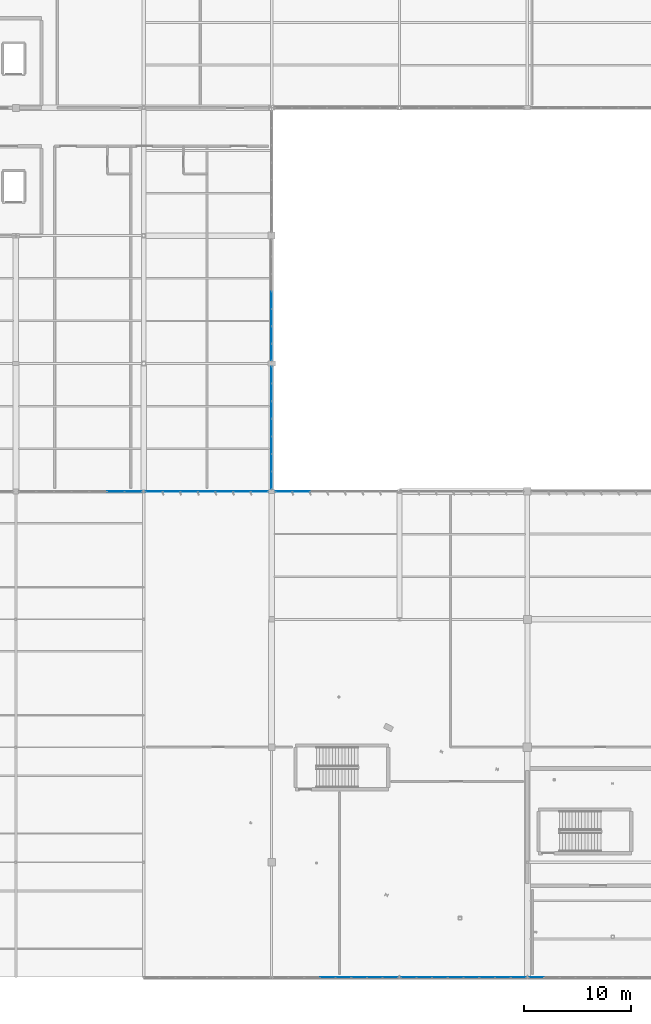
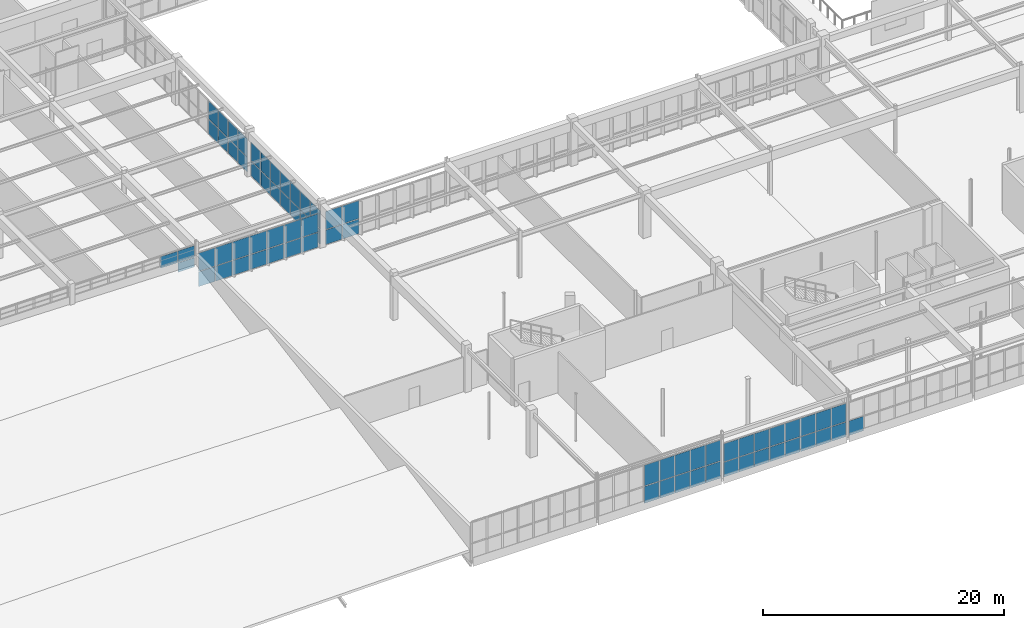
# One storey, part 136 of 226: 70 plates, 8 elements without a shape of their own.
"""IFC4 building model written with IfcOpenShell, lengths in metres."""

from ifc_helpers import new_model, si_unit, direction, frame, origin, origin_2d, place, context, subcontext, project, spatial, rectangle, extrude, material, layer, layer_set, type_object, element, aggregate, save


model = new_model("IFC4")

# Units and contexts
model_context = context("Model", 3, precision=1e-05, world=origin(), true_north=direction((0.0, 1.0)))
body_context = subcontext(model_context, "Body", "Model", "MODEL_VIEW")
ifc_project = project(units=[si_unit("LENGTHUNIT", "METRE"), si_unit("AREAUNIT", "SQUARE_METRE"), si_unit("VOLUMEUNIT", "CUBIC_METRE"), si_unit("PLANEANGLEUNIT", "RADIAN"), si_unit("MASSUNIT", "GRAM", prefix="KILO")], contexts=[model_context])

# Site, building, storey
site_placement = place(None, origin())
site = spatial("IfcSite", under=ifc_project, at=site_placement, CompositionType="ELEMENT")
building_placement = place(site_placement, origin())
building = spatial("IfcBuilding", under=site, at=building_placement, Name="Tarnwether General Hospital", CompositionType="ELEMENT")
storey_placement = place(building_placement, frame((0.0, 0.0, 4.800048828125)))
storey = spatial("IfcBuildingStorey", under=building, at=storey_placement, Name="L01", CompositionType="ELEMENT", Elevation=4.800048828125)

# Curtain wall, plate
ifc_material_1 = material(Name="Anodised aluminium", Category="aluminium")
ifc_layer_1 = layer(ifc_material_1, 0.159912109375)
ifc_layer_set_1 = layer_set([ifc_layer_1], Name="Anodised aluminium")
curtain_wall_type_1 = type_object("IfcCurtainWallType", Name="CW-13", PredefinedType="NOTDEFINED", material=ifc_layer_set_1)
curtain_wall_1_placement = place(storey_placement, origin())
curtain_wall_1 = element("IfcCurtainWall", 1, at=curtain_wall_1_placement, inside=storey, type_object=curtain_wall_type_1, Name="Curtain Wall CWG-L01-959_0-0332", PredefinedType="NOTDEFINED")
ifc_material_2 = material(Name="Double glazed low-E glass", Category="glass")
ifc_layer_2 = layer(ifc_material_2, 0.028076171875)
ifc_layer_set_2 = layer_set([ifc_layer_2], Name="Double glazed low-E glass")
plate_type = type_object("IfcPlateType", Name="PT-CWP1", PredefinedType="CURTAIN_PANEL", material=ifc_layer_set_2)
plate_1_placement = place(storey_placement, frame((84.837646484375, 0.0, 0.059814453125), z_axis=(0.0, 0.0, 1.0), x_axis=(-1.0, 0.0, 0.0)))
plate_1 = element("IfcPlate", 2, at=plate_1_placement, type_object=plate_type, Name="CW-13 panel 8.1", PredefinedType="CURTAIN_PANEL", context=body_context, shape_type="SweptSolid", body=[
    extrude(rectangle(XDim=1.38916015625, YDim=0.028076171875, at=origin_2d()), origin(), (0.0, 0.0, 1.0), 1.47607421875),
])
aggregate(curtain_wall_1, [plate_1])

# Curtain wall, plates
curtain_wall_2_placement = place(storey_placement, origin())
curtain_wall_2 = element("IfcCurtainWall", 3, at=curtain_wall_2_placement, inside=storey, type_object=curtain_wall_type_1, Name="Curtain Wall CWG-L01-839_0-0333", PredefinedType="NOTDEFINED")
plate_2_placement = place(storey_placement, frame((83.1640625, 0.0, 0.059814453125), z_axis=(0.0, 0.0, 1.0), x_axis=(-1.0, 0.0, 0.0)))
plate_2 = element("IfcPlate", 4, at=plate_2_placement, type_object=plate_type, Name="CW-13 panel 1.1", PredefinedType="CURTAIN_PANEL", context=body_context, shape_type="SweptSolid", body=[
    extrude(rectangle(XDim=1.3857421875, YDim=0.028076171875, at=origin_2d()), origin(), (0.0, 0.0, 1.0), 1.47607421875),
])
plate_3_placement = place(storey_placement, frame((83.1640625, 0.0, 1.59619140625), z_axis=(0.0, 0.0, 1.0), x_axis=(-1.0, 0.0, 0.0)))
plate_3 = element("IfcPlate", 5, at=plate_3_placement, type_object=plate_type, Name="CW-13 panel 1.2", PredefinedType="CURTAIN_PANEL", context=body_context, shape_type="SweptSolid", body=[
    extrude(rectangle(XDim=1.3857421875, YDim=0.028076171875, at=origin_2d()), origin(), (0.0, 0.0, 1.0), 1.823974609375),
])
plate_4_placement = place(storey_placement, frame((81.703369140625, 0.0, 0.059814453125), z_axis=(0.0, 0.0, 1.0), x_axis=(-1.0, 0.0, 0.0)))
plate_4 = element("IfcPlate", 6, at=plate_4_placement, type_object=plate_type, Name="CW-13 panel 2.1", PredefinedType="CURTAIN_PANEL", context=body_context, shape_type="SweptSolid", body=[
    extrude(rectangle(XDim=1.415771484375, YDim=0.028076171875, at=origin_2d()), origin(), (0.0, 0.0, 1.0), 1.47607421875),
])
plate_5_placement = place(storey_placement, frame((81.703369140625, 0.0, 1.59619140625), z_axis=(0.0, 0.0, 1.0), x_axis=(-1.0, 0.0, 0.0)))
plate_5 = element("IfcPlate", 7, at=plate_5_placement, type_object=plate_type, Name="CW-13 panel 2.2", PredefinedType="CURTAIN_PANEL", context=body_context, shape_type="SweptSolid", body=[
    extrude(rectangle(XDim=1.415771484375, YDim=0.028076171875, at=origin_2d()), origin(), (0.0, 0.0, 1.0), 1.823974609375),
])
plate_6_placement = place(storey_placement, frame((80.2275390625, 0.0, 0.059814453125), z_axis=(0.0, 0.0, 1.0), x_axis=(-1.0, 0.0, 0.0)))
plate_6 = element("IfcPlate", 8, at=plate_6_placement, type_object=plate_type, Name="CW-13 panel 3.1", PredefinedType="CURTAIN_PANEL", context=body_context, shape_type="SweptSolid", body=[
    extrude(rectangle(XDim=1.415771484375, YDim=0.028076171875, at=origin_2d()), origin(), (0.0, 0.0, 1.0), 1.47607421875),
])
plate_7_placement = place(storey_placement, frame((80.2275390625, 0.0, 1.59619140625), z_axis=(0.0, 0.0, 1.0), x_axis=(-1.0, 0.0, 0.0)))
plate_7 = element("IfcPlate", 9, at=plate_7_placement, type_object=plate_type, Name="CW-13 panel 3.2", PredefinedType="CURTAIN_PANEL", context=body_context, shape_type="SweptSolid", body=[
    extrude(rectangle(XDim=1.415771484375, YDim=0.028076171875, at=origin_2d()), origin(), (0.0, 0.0, 1.0), 1.823974609375),
])
plate_8_placement = place(storey_placement, frame((78.751953125, 0.0, 0.059814453125), z_axis=(0.0, 0.0, 1.0), x_axis=(-1.0, 0.0, 0.0)))
plate_8 = element("IfcPlate", 10, at=plate_8_placement, type_object=plate_type, Name="CW-13 panel 4.1", PredefinedType="CURTAIN_PANEL", context=body_context, shape_type="SweptSolid", body=[
    extrude(rectangle(XDim=1.415771484375, YDim=0.028076171875, at=origin_2d()), origin(), (0.0, 0.0, 1.0), 1.47607421875),
])
plate_9_placement = place(storey_placement, frame((78.751953125, 0.0, 1.59619140625), z_axis=(0.0, 0.0, 1.0), x_axis=(-1.0, 0.0, 0.0)))
plate_9 = element("IfcPlate", 11, at=plate_9_placement, type_object=plate_type, Name="CW-13 panel 4.2", PredefinedType="CURTAIN_PANEL", context=body_context, shape_type="SweptSolid", body=[
    extrude(rectangle(XDim=1.415771484375, YDim=0.028076171875, at=origin_2d()), origin(), (0.0, 0.0, 1.0), 1.823974609375),
])
plate_10_placement = place(storey_placement, frame((77.276123046875, 0.0, 0.059814453125), z_axis=(0.0, 0.0, 1.0), x_axis=(-1.0, 0.0, 0.0)))
plate_10 = element("IfcPlate", 12, at=plate_10_placement, type_object=plate_type, Name="CW-13 panel 5.1", PredefinedType="CURTAIN_PANEL", context=body_context, shape_type="SweptSolid", body=[
    extrude(rectangle(XDim=1.415771484375, YDim=0.028076171875, at=origin_2d()), origin(), (0.0, 0.0, 1.0), 1.47607421875),
])
plate_11_placement = place(storey_placement, frame((77.276123046875, 0.0, 1.59619140625), z_axis=(0.0, 0.0, 1.0), x_axis=(-1.0, 0.0, 0.0)))
plate_11 = element("IfcPlate", 13, at=plate_11_placement, type_object=plate_type, Name="CW-13 panel 5.2", PredefinedType="CURTAIN_PANEL", context=body_context, shape_type="SweptSolid", body=[
    extrude(rectangle(XDim=1.415771484375, YDim=0.028076171875, at=origin_2d()), origin(), (0.0, 0.0, 1.0), 1.823974609375),
])
plate_12_placement = place(storey_placement, frame((75.80029296875, 0.0, 0.059814453125), z_axis=(0.0, 0.0, 1.0), x_axis=(-1.0, 0.0, 0.0)))
plate_12 = element("IfcPlate", 14, at=plate_12_placement, type_object=plate_type, Name="CW-13 panel 6.1", PredefinedType="CURTAIN_PANEL", context=body_context, shape_type="SweptSolid", body=[
    extrude(rectangle(XDim=1.415771484375, YDim=0.028076171875, at=origin_2d()), origin(), (0.0, 0.0, 1.0), 1.47607421875),
])
plate_13_placement = place(storey_placement, frame((75.80029296875, 0.0, 1.59619140625), z_axis=(0.0, 0.0, 1.0), x_axis=(-1.0, 0.0, 0.0)))
plate_13 = element("IfcPlate", 15, at=plate_13_placement, type_object=plate_type, Name="CW-13 panel 6.2", PredefinedType="CURTAIN_PANEL", context=body_context, shape_type="SweptSolid", body=[
    extrude(rectangle(XDim=1.415771484375, YDim=0.028076171875, at=origin_2d()), origin(), (0.0, 0.0, 1.0), 1.823974609375),
])
plate_14_placement = place(storey_placement, frame((74.32470703125, 0.0, 0.059814453125), z_axis=(0.0, 0.0, 1.0), x_axis=(-1.0, 0.0, 0.0)))
plate_14 = element("IfcPlate", 16, at=plate_14_placement, type_object=plate_type, Name="CW-13 panel 7.1", PredefinedType="CURTAIN_PANEL", context=body_context, shape_type="SweptSolid", body=[
    extrude(rectangle(XDim=1.415771484375, YDim=0.028076171875, at=origin_2d()), origin(), (0.0, 0.0, 1.0), 1.47607421875),
])
plate_15_placement = place(storey_placement, frame((74.32470703125, 0.0, 1.59619140625), z_axis=(0.0, 0.0, 1.0), x_axis=(-1.0, 0.0, 0.0)))
plate_15 = element("IfcPlate", 17, at=plate_15_placement, type_object=plate_type, Name="CW-13 panel 7.2", PredefinedType="CURTAIN_PANEL", context=body_context, shape_type="SweptSolid", body=[
    extrude(rectangle(XDim=1.415771484375, YDim=0.028076171875, at=origin_2d()), origin(), (0.0, 0.0, 1.0), 1.823974609375),
])
plate_16_placement = place(storey_placement, frame((72.86376953125, 0.0, 0.059814453125), z_axis=(0.0, 0.0, 1.0), x_axis=(-1.0, 0.0, 0.0)))
plate_16 = element("IfcPlate", 18, at=plate_16_placement, type_object=plate_type, Name="CW-13 panel 8.1", PredefinedType="CURTAIN_PANEL", context=body_context, shape_type="SweptSolid", body=[
    extrude(rectangle(XDim=1.3857421875, YDim=0.028076171875, at=origin_2d()), origin(), (0.0, 0.0, 1.0), 1.47607421875),
])
plate_17_placement = place(storey_placement, frame((72.86376953125, 0.0, 1.59619140625), z_axis=(0.0, 0.0, 1.0), x_axis=(-1.0, 0.0, 0.0)))
plate_17 = element("IfcPlate", 19, at=plate_17_placement, type_object=plate_type, Name="CW-13 panel 8.2", PredefinedType="CURTAIN_PANEL", context=body_context, shape_type="SweptSolid", body=[
    extrude(rectangle(XDim=1.3857421875, YDim=0.028076171875, at=origin_2d()), origin(), (0.0, 0.0, 1.0), 1.823974609375),
])
aggregate(curtain_wall_2, [plate_2, plate_3, plate_4, plate_5, plate_6, plate_7, plate_8, plate_9, plate_10, plate_11, plate_12, plate_13, plate_14, plate_15, plate_16, plate_17])

curtain_wall_3_placement = place(storey_placement, origin())
curtain_wall_3 = element("IfcCurtainWall", 20, at=curtain_wall_3_placement, inside=storey, type_object=curtain_wall_type_1, Name="Curtain Wall CWG-L01-719_0-0334", PredefinedType="NOTDEFINED")
plate_18_placement = place(storey_placement, frame((71.137939453125, 0.0, 0.06005859375), z_axis=(0.0, 0.0, 1.0), x_axis=(-1.0, 0.0, 0.0)))
plate_18 = element("IfcPlate", 21, at=plate_18_placement, type_object=plate_type, Name="CW-13 panel 1.1", PredefinedType="CURTAIN_PANEL", context=body_context, shape_type="SweptSolid", body=[
    extrude(rectangle(XDim=1.382080078125, YDim=0.028076171875, at=origin_2d()), origin(), (0.0, 0.0, 1.0), 1.69775390625),
])
plate_19_placement = place(storey_placement, frame((71.137939453125, 0.0, 1.817626953125), z_axis=(0.0, 0.0, 1.0), x_axis=(-1.0, 0.0, 0.0)))
plate_19 = element("IfcPlate", 22, at=plate_19_placement, type_object=plate_type, Name="CW-13 panel 1.2", PredefinedType="CURTAIN_PANEL", context=body_context, shape_type="SweptSolid", body=[
    extrude(rectangle(XDim=1.382080078125, YDim=0.028076171875, at=origin_2d()), origin(), (0.0, 0.0, 1.0), 2.09521484375),
])
plate_20_placement = place(storey_placement, frame((69.680908203125, 0.0, 0.06005859375), z_axis=(0.0, 0.0, 1.0), x_axis=(-1.0, 0.0, 0.0)))
plate_20 = element("IfcPlate", 23, at=plate_20_placement, type_object=plate_type, Name="CW-13 panel 2.1", PredefinedType="CURTAIN_PANEL", context=body_context, shape_type="SweptSolid", body=[
    extrude(rectangle(XDim=1.412109375, YDim=0.028076171875, at=origin_2d()), origin(), (0.0, 0.0, 1.0), 1.69775390625),
])
plate_21_placement = place(storey_placement, frame((69.680908203125, 0.0, 1.817626953125), z_axis=(0.0, 0.0, 1.0), x_axis=(-1.0, 0.0, 0.0)))
plate_21 = element("IfcPlate", 24, at=plate_21_placement, type_object=plate_type, Name="CW-13 panel 2.2", PredefinedType="CURTAIN_PANEL", context=body_context, shape_type="SweptSolid", body=[
    extrude(rectangle(XDim=1.412109375, YDim=0.028076171875, at=origin_2d()), origin(), (0.0, 0.0, 1.0), 2.09521484375),
])
plate_22_placement = place(storey_placement, frame((68.208984375, 0.0, 0.06005859375), z_axis=(0.0, 0.0, 1.0), x_axis=(-1.0, 0.0, 0.0)))
plate_22 = element("IfcPlate", 25, at=plate_22_placement, type_object=plate_type, Name="CW-13 panel 3.1", PredefinedType="CURTAIN_PANEL", context=body_context, shape_type="SweptSolid", body=[
    extrude(rectangle(XDim=1.412109375, YDim=0.028076171875, at=origin_2d()), origin(), (0.0, 0.0, 1.0), 1.69775390625),
])
plate_23_placement = place(storey_placement, frame((68.208984375, 0.0, 1.817626953125), z_axis=(0.0, 0.0, 1.0), x_axis=(-1.0, 0.0, 0.0)))
plate_23 = element("IfcPlate", 26, at=plate_23_placement, type_object=plate_type, Name="CW-13 panel 3.2", PredefinedType="CURTAIN_PANEL", context=body_context, shape_type="SweptSolid", body=[
    extrude(rectangle(XDim=1.412109375, YDim=0.028076171875, at=origin_2d()), origin(), (0.0, 0.0, 1.0), 2.09521484375),
])
plate_24_placement = place(storey_placement, frame((66.737060546875, 0.0, 0.06005859375), z_axis=(0.0, 0.0, 1.0), x_axis=(-1.0, 0.0, 0.0)))
plate_24 = element("IfcPlate", 27, at=plate_24_placement, type_object=plate_type, Name="CW-13 panel 4.1", PredefinedType="CURTAIN_PANEL", context=body_context, shape_type="SweptSolid", body=[
    extrude(rectangle(XDim=1.412109375, YDim=0.028076171875, at=origin_2d()), origin(), (0.0, 0.0, 1.0), 1.69775390625),
])
plate_25_placement = place(storey_placement, frame((66.737060546875, 0.0, 1.817626953125), z_axis=(0.0, 0.0, 1.0), x_axis=(-1.0, 0.0, 0.0)))
plate_25 = element("IfcPlate", 28, at=plate_25_placement, type_object=plate_type, Name="CW-13 panel 4.2", PredefinedType="CURTAIN_PANEL", context=body_context, shape_type="SweptSolid", body=[
    extrude(rectangle(XDim=1.412109375, YDim=0.028076171875, at=origin_2d()), origin(), (0.0, 0.0, 1.0), 2.09521484375),
])
plate_26_placement = place(storey_placement, frame((65.264892578125, 0.0, 0.06005859375), z_axis=(0.0, 0.0, 1.0), x_axis=(-1.0, 0.0, 0.0)))
plate_26 = element("IfcPlate", 29, at=plate_26_placement, type_object=plate_type, Name="CW-13 panel 5.1", PredefinedType="CURTAIN_PANEL", context=body_context, shape_type="SweptSolid", body=[
    extrude(rectangle(XDim=1.412109375, YDim=0.028076171875, at=origin_2d()), origin(), (0.0, 0.0, 1.0), 1.69775390625),
])
plate_27_placement = place(storey_placement, frame((65.264892578125, 0.0, 1.817626953125), z_axis=(0.0, 0.0, 1.0), x_axis=(-1.0, 0.0, 0.0)))
plate_27 = element("IfcPlate", 30, at=plate_27_placement, type_object=plate_type, Name="CW-13 panel 5.2", PredefinedType="CURTAIN_PANEL", context=body_context, shape_type="SweptSolid", body=[
    extrude(rectangle(XDim=1.412109375, YDim=0.028076171875, at=origin_2d()), origin(), (0.0, 0.0, 1.0), 2.09521484375),
])
aggregate(curtain_wall_3, [plate_18, plate_19, plate_20, plate_21, plate_22, plate_23, plate_24, plate_25, plate_26, plate_27])

ifc_material_3 = material(Name="Anodised aluminium", Category="aluminium")
ifc_layer_3 = layer(ifc_material_3, 0.159912109375)
ifc_layer_set_3 = layer_set([ifc_layer_3], Name="Anodised aluminium")
curtain_wall_type_2 = type_object("IfcCurtainWallType", Name="CW-24", PredefinedType="NOTDEFINED", material=ifc_layer_set_3)
curtain_wall_4_placement = place(storey_placement, origin())
curtain_wall_4 = element("IfcCurtainWall", 31, at=curtain_wall_4_placement, inside=storey, type_object=curtain_wall_type_2, Name="Curtain Wall CWG-L01-718_456-0346", PredefinedType="NOTDEFINED")
plate_28_placement = place(storey_placement, frame((62.779052734375, 45.60009765625, 0.059814453125), z_axis=(0.0, 0.0, 1.0), x_axis=(-1.0, 0.0, 0.0)))
plate_28 = element("IfcPlate", 32, at=plate_28_placement, type_object=plate_type, Name="CW-24 panel 6.1", PredefinedType="CURTAIN_PANEL", context=body_context, shape_type="SweptSolid", body=[
    extrude(rectangle(XDim=1.58740234375, YDim=0.028076171875, at=origin_2d()), origin(), (0.0, 0.0, 1.0), 1.47607421875),
])
plate_29_placement = place(storey_placement, frame((62.779052734375, 45.60009765625, 1.59619140625), z_axis=(0.0, 0.0, 1.0), x_axis=(-1.0, 0.0, 0.0)))
plate_29 = element("IfcPlate", 33, at=plate_29_placement, type_object=plate_type, Name="CW-24 panel 6.2", PredefinedType="CURTAIN_PANEL", context=body_context, shape_type="SweptSolid", body=[
    extrude(rectangle(XDim=1.58740234375, YDim=0.028076171875, at=origin_2d()), origin(), (0.0, 0.0, 1.0), 1.823974609375),
])
plate_30_placement = place(storey_placement, frame((61.146728515625, 45.60009765625, 0.059814453125), z_axis=(0.0, 0.0, 1.0), x_axis=(-1.0, 0.0, 0.0)))
plate_30 = element("IfcPlate", 34, at=plate_30_placement, type_object=plate_type, Name="CW-24 panel 7.1", PredefinedType="CURTAIN_PANEL", context=body_context, shape_type="SweptSolid", body=[
    extrude(rectangle(XDim=1.557373046875, YDim=0.028076171875, at=origin_2d()), origin(), (0.0, 0.0, 1.0), 1.47607421875),
])
plate_31_placement = place(storey_placement, frame((61.146728515625, 45.60009765625, 1.59619140625), z_axis=(0.0, 0.0, 1.0), x_axis=(-1.0, 0.0, 0.0)))
plate_31 = element("IfcPlate", 35, at=plate_31_placement, type_object=plate_type, Name="CW-24 panel 7.2", PredefinedType="CURTAIN_PANEL", context=body_context, shape_type="SweptSolid", body=[
    extrude(rectangle(XDim=1.557373046875, YDim=0.028076171875, at=origin_2d()), origin(), (0.0, 0.0, 1.0), 1.823974609375),
])
aggregate(curtain_wall_4, [plate_28, plate_29, plate_30, plate_31])

curtain_wall_5_placement = place(storey_placement, origin())
curtain_wall_5 = element("IfcCurtainWall", 36, at=curtain_wall_5_placement, inside=storey, type_object=curtain_wall_type_2, Name="Curtain Wall CWG-L01-597_456-0347", PredefinedType="NOTDEFINED")
plate_32_placement = place(storey_placement, frame((58.8515625, 45.60009765625, 0.06005859375), z_axis=(0.0, 0.0, 1.0), x_axis=(-1.0, 0.0, 0.0)))
plate_32 = element("IfcPlate", 37, at=plate_32_placement, type_object=plate_type, Name="CW-24 panel 1.1", PredefinedType="CURTAIN_PANEL", context=body_context, shape_type="SweptSolid", body=[
    extrude(rectangle(XDim=1.560791015625, YDim=0.028076171875, at=origin_2d()), origin(), (0.0, 0.0, 1.0), 1.49169921875),
])
plate_33_placement = place(storey_placement, frame((58.8515625, 45.60009765625, 1.61181640625), z_axis=(0.0, 0.0, 1.0), x_axis=(-1.0, 0.0, 0.0)))
plate_33 = element("IfcPlate", 38, at=plate_33_placement, type_object=plate_type, Name="CW-24 panel 1.2", PredefinedType="CURTAIN_PANEL", context=body_context, shape_type="SweptSolid", body=[
    extrude(rectangle(XDim=1.560791015625, YDim=0.028076171875, at=origin_2d()), origin(), (0.0, 0.0, 1.0), 1.84326171875),
])
plate_34_placement = place(storey_placement, frame((57.2158203125, 45.60009765625, 0.06005859375), z_axis=(0.0, 0.0, 1.0), x_axis=(-1.0, 0.0, 0.0)))
plate_34 = element("IfcPlate", 39, at=plate_34_placement, type_object=plate_type, Name="CW-24 panel 2.1", PredefinedType="CURTAIN_PANEL", context=body_context, shape_type="SweptSolid", body=[
    extrude(rectangle(XDim=1.5908203125, YDim=0.028076171875, at=origin_2d()), origin(), (0.0, 0.0, 1.0), 1.49169921875),
])
plate_35_placement = place(storey_placement, frame((57.2158203125, 45.60009765625, 1.61181640625), z_axis=(0.0, 0.0, 1.0), x_axis=(-1.0, 0.0, 0.0)))
plate_35 = element("IfcPlate", 40, at=plate_35_placement, type_object=plate_type, Name="CW-24 panel 2.2", PredefinedType="CURTAIN_PANEL", context=body_context, shape_type="SweptSolid", body=[
    extrude(rectangle(XDim=1.5908203125, YDim=0.028076171875, at=origin_2d()), origin(), (0.0, 0.0, 1.0), 1.84326171875),
])
plate_36_placement = place(storey_placement, frame((55.56494140625, 45.60009765625, 0.06005859375), z_axis=(0.0, 0.0, 1.0), x_axis=(-1.0, 0.0, 0.0)))
plate_36 = element("IfcPlate", 41, at=plate_36_placement, type_object=plate_type, Name="CW-24 panel 3.1", PredefinedType="CURTAIN_PANEL", context=body_context, shape_type="SweptSolid", body=[
    extrude(rectangle(XDim=1.5908203125, YDim=0.028076171875, at=origin_2d()), origin(), (0.0, 0.0, 1.0), 1.49169921875),
])
plate_37_placement = place(storey_placement, frame((55.56494140625, 45.60009765625, 1.61181640625), z_axis=(0.0, 0.0, 1.0), x_axis=(-1.0, 0.0, 0.0)))
plate_37 = element("IfcPlate", 42, at=plate_37_placement, type_object=plate_type, Name="CW-24 panel 3.2", PredefinedType="CURTAIN_PANEL", context=body_context, shape_type="SweptSolid", body=[
    extrude(rectangle(XDim=1.5908203125, YDim=0.028076171875, at=origin_2d()), origin(), (0.0, 0.0, 1.0), 1.84326171875),
])
plate_38_placement = place(storey_placement, frame((53.9140625, 45.60009765625, 0.06005859375), z_axis=(0.0, 0.0, 1.0), x_axis=(-1.0, 0.0, 0.0)))
plate_38 = element("IfcPlate", 43, at=plate_38_placement, type_object=plate_type, Name="CW-24 panel 4.1", PredefinedType="CURTAIN_PANEL", context=body_context, shape_type="SweptSolid", body=[
    extrude(rectangle(XDim=1.5908203125, YDim=0.028076171875, at=origin_2d()), origin(), (0.0, 0.0, 1.0), 1.49169921875),
])
plate_39_placement = place(storey_placement, frame((53.9140625, 45.60009765625, 1.61181640625), z_axis=(0.0, 0.0, 1.0), x_axis=(-1.0, 0.0, 0.0)))
plate_39 = element("IfcPlate", 44, at=plate_39_placement, type_object=plate_type, Name="CW-24 panel 4.2", PredefinedType="CURTAIN_PANEL", context=body_context, shape_type="SweptSolid", body=[
    extrude(rectangle(XDim=1.5908203125, YDim=0.028076171875, at=origin_2d()), origin(), (0.0, 0.0, 1.0), 1.84326171875),
])
plate_40_placement = place(storey_placement, frame((52.26318359375, 45.60009765625, 0.06005859375), z_axis=(0.0, 0.0, 1.0), x_axis=(-1.0, 0.0, 0.0)))
plate_40 = element("IfcPlate", 45, at=plate_40_placement, type_object=plate_type, Name="CW-24 panel 5.1", PredefinedType="CURTAIN_PANEL", context=body_context, shape_type="SweptSolid", body=[
    extrude(rectangle(XDim=1.5908203125, YDim=0.028076171875, at=origin_2d()), origin(), (0.0, 0.0, 1.0), 1.49169921875),
])
plate_41_placement = place(storey_placement, frame((52.26318359375, 45.60009765625, 1.61181640625), z_axis=(0.0, 0.0, 1.0), x_axis=(-1.0, 0.0, 0.0)))
plate_41 = element("IfcPlate", 46, at=plate_41_placement, type_object=plate_type, Name="CW-24 panel 5.2", PredefinedType="CURTAIN_PANEL", context=body_context, shape_type="SweptSolid", body=[
    extrude(rectangle(XDim=1.5908203125, YDim=0.028076171875, at=origin_2d()), origin(), (0.0, 0.0, 1.0), 1.84326171875),
])
plate_42_placement = place(storey_placement, frame((50.6123046875, 45.60009765625, 0.06005859375), z_axis=(0.0, 0.0, 1.0), x_axis=(-1.0, 0.0, 0.0)))
plate_42 = element("IfcPlate", 47, at=plate_42_placement, type_object=plate_type, Name="CW-24 panel 6.1", PredefinedType="CURTAIN_PANEL", context=body_context, shape_type="SweptSolid", body=[
    extrude(rectangle(XDim=1.5908203125, YDim=0.028076171875, at=origin_2d()), origin(), (0.0, 0.0, 1.0), 1.49169921875),
])
plate_43_placement = place(storey_placement, frame((50.6123046875, 45.60009765625, 1.61181640625), z_axis=(0.0, 0.0, 1.0), x_axis=(-1.0, 0.0, 0.0)))
plate_43 = element("IfcPlate", 48, at=plate_43_placement, type_object=plate_type, Name="CW-24 panel 6.2", PredefinedType="CURTAIN_PANEL", context=body_context, shape_type="SweptSolid", body=[
    extrude(rectangle(XDim=1.5908203125, YDim=0.028076171875, at=origin_2d()), origin(), (0.0, 0.0, 1.0), 1.84326171875),
])
plate_44_placement = place(storey_placement, frame((48.976318359375, 45.60009765625, 0.06005859375), z_axis=(0.0, 0.0, 1.0), x_axis=(-1.0, 0.0, 0.0)))
plate_44 = element("IfcPlate", 49, at=plate_44_placement, type_object=plate_type, Name="CW-24 panel 7.1", PredefinedType="CURTAIN_PANEL", context=body_context, shape_type="SweptSolid", body=[
    extrude(rectangle(XDim=1.560791015625, YDim=0.028076171875, at=origin_2d()), origin(), (0.0, 0.0, 1.0), 1.49169921875),
])
plate_45_placement = place(storey_placement, frame((48.976318359375, 45.60009765625, 1.61181640625), z_axis=(0.0, 0.0, 1.0), x_axis=(-1.0, 0.0, 0.0)))
plate_45 = element("IfcPlate", 50, at=plate_45_placement, type_object=plate_type, Name="CW-24 panel 7.2", PredefinedType="CURTAIN_PANEL", context=body_context, shape_type="SweptSolid", body=[
    extrude(rectangle(XDim=1.560791015625, YDim=0.028076171875, at=origin_2d()), origin(), (0.0, 0.0, 1.0), 1.84326171875),
])
aggregate(curtain_wall_5, [plate_32, plate_33, plate_34, plate_35, plate_36, plate_37, plate_38, plate_39, plate_40, plate_41, plate_42, plate_43, plate_44, plate_45])

curtain_wall_6_placement = place(storey_placement, origin())
curtain_wall_6 = element("IfcCurtainWall", 51, at=curtain_wall_6_placement, inside=storey, type_object=curtain_wall_type_2, Name="Curtain Wall CWG-L01-479_456-0348", PredefinedType="NOTDEFINED")
plate_46_placement = place(storey_placement, frame((47.02001953125, 45.60009765625, 2.2099609375), z_axis=(0.0, 0.0, 1.0), x_axis=(-1.0, 0.0, 0.0)))
plate_46 = element("IfcPlate", 52, at=plate_46_placement, type_object=plate_type, Name="CW-24 panel 1.1", PredefinedType="CURTAIN_PANEL", context=body_context, shape_type="SweptSolid", body=[
    extrude(rectangle(XDim=1.568115234375, YDim=0.028076171875, at=origin_2d()), origin(), (0.0, 0.0, 1.0), 0.93603515625),
])
plate_47_placement = place(storey_placement, frame((47.02001953125, 45.60009765625, 3.205810546875), z_axis=(0.0, 0.0, 1.0), x_axis=(-1.0, 0.0, 0.0)))
plate_47 = element("IfcPlate", 53, at=plate_47_placement, type_object=plate_type, Name="CW-24 panel 1.2", PredefinedType="CURTAIN_PANEL", context=body_context, shape_type="SweptSolid", body=[
    extrude(rectangle(XDim=1.568115234375, YDim=0.028076171875, at=origin_2d()), origin(), (0.0, 0.0, 1.0), 1.1640625),
])
plate_48_placement = place(storey_placement, frame((45.376953125, 45.60009765625, 3.205810546875), z_axis=(0.0, 0.0, 1.0), x_axis=(-1.0, 0.0, 0.0)))
plate_48 = element("IfcPlate", 54, at=plate_48_placement, type_object=plate_type, Name="CW-24 panel 2.2", PredefinedType="CURTAIN_PANEL", context=body_context, shape_type="SweptSolid", body=[
    extrude(rectangle(XDim=1.597900390625, YDim=0.028076171875, at=origin_2d()), origin(), (0.0, 0.0, 1.0), 1.1640625),
])
aggregate(curtain_wall_6, [plate_46, plate_47, plate_48])

ifc_material_4 = material(Name="Anodised aluminium", Category="aluminium")
ifc_layer_4 = layer(ifc_material_4, 0.159912109375)
ifc_layer_set_4 = layer_set([ifc_layer_4], Name="Anodised aluminium")
curtain_wall_type_3 = type_object("IfcCurtainWallType", Name="CW-15", PredefinedType="NOTDEFINED", material=ifc_layer_set_4)
curtain_wall_7_placement = place(storey_placement, origin())
curtain_wall_7 = element("IfcCurtainWall", 55, at=curtain_wall_7_placement, inside=storey, type_object=curtain_wall_type_3, Name="Curtain Wall CWG-L01-600_693-0353", PredefinedType="NOTDEFINED")
plate_49_placement = place(storey_placement, frame((60.0, 63.550048828125, 0.06005859375), z_axis=(0.0, 0.0, 1.0), x_axis=(0.0, -1.0, 0.0)))
plate_49 = element("IfcPlate", 56, at=plate_49_placement, type_object=plate_type, Name="CW-15 panel 4.1", PredefinedType="CURTAIN_PANEL", context=body_context, shape_type="SweptSolid", body=[
    extrude(rectangle(XDim=1.573486328125, YDim=0.028076171875, at=origin_2d()), origin(), (0.0, 0.0, 1.0), 1.46923828125),
])
plate_50_placement = place(storey_placement, frame((60.0, 63.550048828125, 1.58935546875), z_axis=(0.0, 0.0, 1.0), x_axis=(0.0, -1.0, 0.0)))
plate_50 = element("IfcPlate", 57, at=plate_50_placement, type_object=plate_type, Name="CW-15 panel 4.2", PredefinedType="CURTAIN_PANEL", context=body_context, shape_type="SweptSolid", body=[
    extrude(rectangle(XDim=1.573486328125, YDim=0.028076171875, at=origin_2d()), origin(), (0.0, 0.0, 1.0), 1.815673828125),
])
plate_51_placement = place(storey_placement, frame((60.0, 61.91650390625, 0.06005859375), z_axis=(0.0, 0.0, 1.0), x_axis=(0.0, -1.0, 0.0)))
plate_51 = element("IfcPlate", 58, at=plate_51_placement, type_object=plate_type, Name="CW-15 panel 5.1", PredefinedType="CURTAIN_PANEL", context=body_context, shape_type="SweptSolid", body=[
    extrude(rectangle(XDim=1.573486328125, YDim=0.028076171875, at=origin_2d()), origin(), (0.0, 0.0, 1.0), 1.46923828125),
])
plate_52_placement = place(storey_placement, frame((60.0, 61.91650390625, 1.58935546875), z_axis=(0.0, 0.0, 1.0), x_axis=(0.0, -1.0, 0.0)))
plate_52 = element("IfcPlate", 59, at=plate_52_placement, type_object=plate_type, Name="CW-15 panel 5.2", PredefinedType="CURTAIN_PANEL", context=body_context, shape_type="SweptSolid", body=[
    extrude(rectangle(XDim=1.573486328125, YDim=0.028076171875, at=origin_2d()), origin(), (0.0, 0.0, 1.0), 1.815673828125),
])
plate_53_placement = place(storey_placement, frame((60.0, 60.283203125, 0.06005859375), z_axis=(0.0, 0.0, 1.0), x_axis=(0.0, -1.0, 0.0)))
plate_53 = element("IfcPlate", 60, at=plate_53_placement, type_object=plate_type, Name="CW-15 panel 6.1", PredefinedType="CURTAIN_PANEL", context=body_context, shape_type="SweptSolid", body=[
    extrude(rectangle(XDim=1.573486328125, YDim=0.028076171875, at=origin_2d()), origin(), (0.0, 0.0, 1.0), 1.46923828125),
])
plate_54_placement = place(storey_placement, frame((60.0, 60.283203125, 1.58935546875), z_axis=(0.0, 0.0, 1.0), x_axis=(0.0, -1.0, 0.0)))
plate_54 = element("IfcPlate", 61, at=plate_54_placement, type_object=plate_type, Name="CW-15 panel 6.2", PredefinedType="CURTAIN_PANEL", context=body_context, shape_type="SweptSolid", body=[
    extrude(rectangle(XDim=1.573486328125, YDim=0.028076171875, at=origin_2d()), origin(), (0.0, 0.0, 1.0), 1.815673828125),
])
plate_55_placement = place(storey_placement, frame((60.0, 58.664794921875, 0.06005859375), z_axis=(0.0, 0.0, 1.0), x_axis=(0.0, -1.0, 0.0)))
plate_55 = element("IfcPlate", 62, at=plate_55_placement, type_object=plate_type, Name="CW-15 panel 7.1", PredefinedType="CURTAIN_PANEL", context=body_context, shape_type="SweptSolid", body=[
    extrude(rectangle(XDim=1.54345703125, YDim=0.028076171875, at=origin_2d()), origin(), (0.0, 0.0, 1.0), 1.46923828125),
])
plate_56_placement = place(storey_placement, frame((60.0, 58.664794921875, 1.58935546875), z_axis=(0.0, 0.0, 1.0), x_axis=(0.0, -1.0, 0.0)))
plate_56 = element("IfcPlate", 63, at=plate_56_placement, type_object=plate_type, Name="CW-15 panel 7.2", PredefinedType="CURTAIN_PANEL", context=body_context, shape_type="SweptSolid", body=[
    extrude(rectangle(XDim=1.54345703125, YDim=0.028076171875, at=origin_2d()), origin(), (0.0, 0.0, 1.0), 1.815673828125),
])
aggregate(curtain_wall_7, [plate_49, plate_50, plate_51, plate_52, plate_53, plate_54, plate_55, plate_56])

curtain_wall_8_placement = place(storey_placement, origin())
curtain_wall_8 = element("IfcCurtainWall", 64, at=curtain_wall_8_placement, inside=storey, type_object=curtain_wall_type_3, Name="Curtain Wall CWG-L01-600_574-0354", PredefinedType="NOTDEFINED")
plate_57_placement = place(storey_placement, frame((60.0, 56.5263671875, 0.059814453125), z_axis=(0.0, 0.0, 1.0), x_axis=(0.0, -1.0, 0.0)))
plate_57 = element("IfcPlate", 65, at=plate_57_placement, type_object=plate_type, Name="CW-15 panel 1.1", PredefinedType="CURTAIN_PANEL", context=body_context, shape_type="SweptSolid", body=[
    extrude(rectangle(XDim=1.561279296875, YDim=0.028076171875, at=origin_2d()), origin(), (0.0, 0.0, 1.0), 1.49853515625),
])
plate_58_placement = place(storey_placement, frame((60.0, 56.5263671875, 1.618408203125), z_axis=(0.0, 0.0, 1.0), x_axis=(0.0, -1.0, 0.0)))
plate_58 = element("IfcPlate", 66, at=plate_58_placement, type_object=plate_type, Name="CW-15 panel 1.2", PredefinedType="CURTAIN_PANEL", context=body_context, shape_type="SweptSolid", body=[
    extrude(rectangle(XDim=1.561279296875, YDim=0.028076171875, at=origin_2d()), origin(), (0.0, 0.0, 1.0), 1.8515625),
])
plate_59_placement = place(storey_placement, frame((60.0, 54.89013671875, 0.059814453125), z_axis=(0.0, 0.0, 1.0), x_axis=(0.0, -1.0, 0.0)))
plate_59 = element("IfcPlate", 67, at=plate_59_placement, type_object=plate_type, Name="CW-15 panel 2.1", PredefinedType="CURTAIN_PANEL", context=body_context, shape_type="SweptSolid", body=[
    extrude(rectangle(XDim=1.59130859375, YDim=0.028076171875, at=origin_2d()), origin(), (0.0, 0.0, 1.0), 1.49853515625),
])
plate_60_placement = place(storey_placement, frame((60.0, 54.89013671875, 1.618408203125), z_axis=(0.0, 0.0, 1.0), x_axis=(0.0, -1.0, 0.0)))
plate_60 = element("IfcPlate", 68, at=plate_60_placement, type_object=plate_type, Name="CW-15 panel 2.2", PredefinedType="CURTAIN_PANEL", context=body_context, shape_type="SweptSolid", body=[
    extrude(rectangle(XDim=1.59130859375, YDim=0.028076171875, at=origin_2d()), origin(), (0.0, 0.0, 1.0), 1.8515625),
])
plate_61_placement = place(storey_placement, frame((60.0, 53.23876953125, 0.059814453125), z_axis=(0.0, 0.0, 1.0), x_axis=(0.0, -1.0, 0.0)))
plate_61 = element("IfcPlate", 69, at=plate_61_placement, type_object=plate_type, Name="CW-15 panel 3.1", PredefinedType="CURTAIN_PANEL", context=body_context, shape_type="SweptSolid", body=[
    extrude(rectangle(XDim=1.59130859375, YDim=0.028076171875, at=origin_2d()), origin(), (0.0, 0.0, 1.0), 1.49853515625),
])
plate_62_placement = place(storey_placement, frame((60.0, 53.23876953125, 1.618408203125), z_axis=(0.0, 0.0, 1.0), x_axis=(0.0, -1.0, 0.0)))
plate_62 = element("IfcPlate", 70, at=plate_62_placement, type_object=plate_type, Name="CW-15 panel 3.2", PredefinedType="CURTAIN_PANEL", context=body_context, shape_type="SweptSolid", body=[
    extrude(rectangle(XDim=1.59130859375, YDim=0.028076171875, at=origin_2d()), origin(), (0.0, 0.0, 1.0), 1.8515625),
])
plate_63_placement = place(storey_placement, frame((60.0, 51.58740234375, 0.059814453125), z_axis=(0.0, 0.0, 1.0), x_axis=(0.0, -1.0, 0.0)))
plate_63 = element("IfcPlate", 71, at=plate_63_placement, type_object=plate_type, Name="CW-15 panel 4.1", PredefinedType="CURTAIN_PANEL", context=body_context, shape_type="SweptSolid", body=[
    extrude(rectangle(XDim=1.59130859375, YDim=0.028076171875, at=origin_2d()), origin(), (0.0, 0.0, 1.0), 1.49853515625),
])
plate_64_placement = place(storey_placement, frame((60.0, 51.58740234375, 1.618408203125), z_axis=(0.0, 0.0, 1.0), x_axis=(0.0, -1.0, 0.0)))
plate_64 = element("IfcPlate", 72, at=plate_64_placement, type_object=plate_type, Name="CW-15 panel 4.2", PredefinedType="CURTAIN_PANEL", context=body_context, shape_type="SweptSolid", body=[
    extrude(rectangle(XDim=1.59130859375, YDim=0.028076171875, at=origin_2d()), origin(), (0.0, 0.0, 1.0), 1.8515625),
])
plate_65_placement = place(storey_placement, frame((60.0, 49.936279296875, 0.059814453125), z_axis=(0.0, 0.0, 1.0), x_axis=(0.0, -1.0, 0.0)))
plate_65 = element("IfcPlate", 73, at=plate_65_placement, type_object=plate_type, Name="CW-15 panel 5.1", PredefinedType="CURTAIN_PANEL", context=body_context, shape_type="SweptSolid", body=[
    extrude(rectangle(XDim=1.59130859375, YDim=0.028076171875, at=origin_2d()), origin(), (0.0, 0.0, 1.0), 1.49853515625),
])
plate_66_placement = place(storey_placement, frame((60.0, 49.936279296875, 1.618408203125), z_axis=(0.0, 0.0, 1.0), x_axis=(0.0, -1.0, 0.0)))
plate_66 = element("IfcPlate", 74, at=plate_66_placement, type_object=plate_type, Name="CW-15 panel 5.2", PredefinedType="CURTAIN_PANEL", context=body_context, shape_type="SweptSolid", body=[
    extrude(rectangle(XDim=1.59130859375, YDim=0.028076171875, at=origin_2d()), origin(), (0.0, 0.0, 1.0), 1.8515625),
])
plate_67_placement = place(storey_placement, frame((60.0, 48.284912109375, 0.059814453125), z_axis=(0.0, 0.0, 1.0), x_axis=(0.0, -1.0, 0.0)))
plate_67 = element("IfcPlate", 75, at=plate_67_placement, type_object=plate_type, Name="CW-15 panel 6.1", PredefinedType="CURTAIN_PANEL", context=body_context, shape_type="SweptSolid", body=[
    extrude(rectangle(XDim=1.59130859375, YDim=0.028076171875, at=origin_2d()), origin(), (0.0, 0.0, 1.0), 1.49853515625),
])
plate_68_placement = place(storey_placement, frame((60.0, 48.284912109375, 1.618408203125), z_axis=(0.0, 0.0, 1.0), x_axis=(0.0, -1.0, 0.0)))
plate_68 = element("IfcPlate", 76, at=plate_68_placement, type_object=plate_type, Name="CW-15 panel 6.2", PredefinedType="CURTAIN_PANEL", context=body_context, shape_type="SweptSolid", body=[
    extrude(rectangle(XDim=1.59130859375, YDim=0.028076171875, at=origin_2d()), origin(), (0.0, 0.0, 1.0), 1.8515625),
])
plate_69_placement = place(storey_placement, frame((60.0, 46.648681640625, 0.059814453125), z_axis=(0.0, 0.0, 1.0), x_axis=(0.0, -1.0, 0.0)))
plate_69 = element("IfcPlate", 77, at=plate_69_placement, type_object=plate_type, Name="CW-15 panel 7.1", PredefinedType="CURTAIN_PANEL", context=body_context, shape_type="SweptSolid", body=[
    extrude(rectangle(XDim=1.561279296875, YDim=0.028076171875, at=origin_2d()), origin(), (0.0, 0.0, 1.0), 1.49853515625),
])
plate_70_placement = place(storey_placement, frame((60.0, 46.648681640625, 1.618408203125), z_axis=(0.0, 0.0, 1.0), x_axis=(0.0, -1.0, 0.0)))
plate_70 = element("IfcPlate", 78, at=plate_70_placement, type_object=plate_type, Name="CW-15 panel 7.2", PredefinedType="CURTAIN_PANEL", context=body_context, shape_type="SweptSolid", body=[
    extrude(rectangle(XDim=1.561279296875, YDim=0.028076171875, at=origin_2d()), origin(), (0.0, 0.0, 1.0), 1.8515625),
])
aggregate(curtain_wall_8, [plate_57, plate_58, plate_59, plate_60, plate_61, plate_62, plate_63, plate_64, plate_65, plate_66, plate_67, plate_68, plate_69, plate_70])

save(model, "model.ifc")
